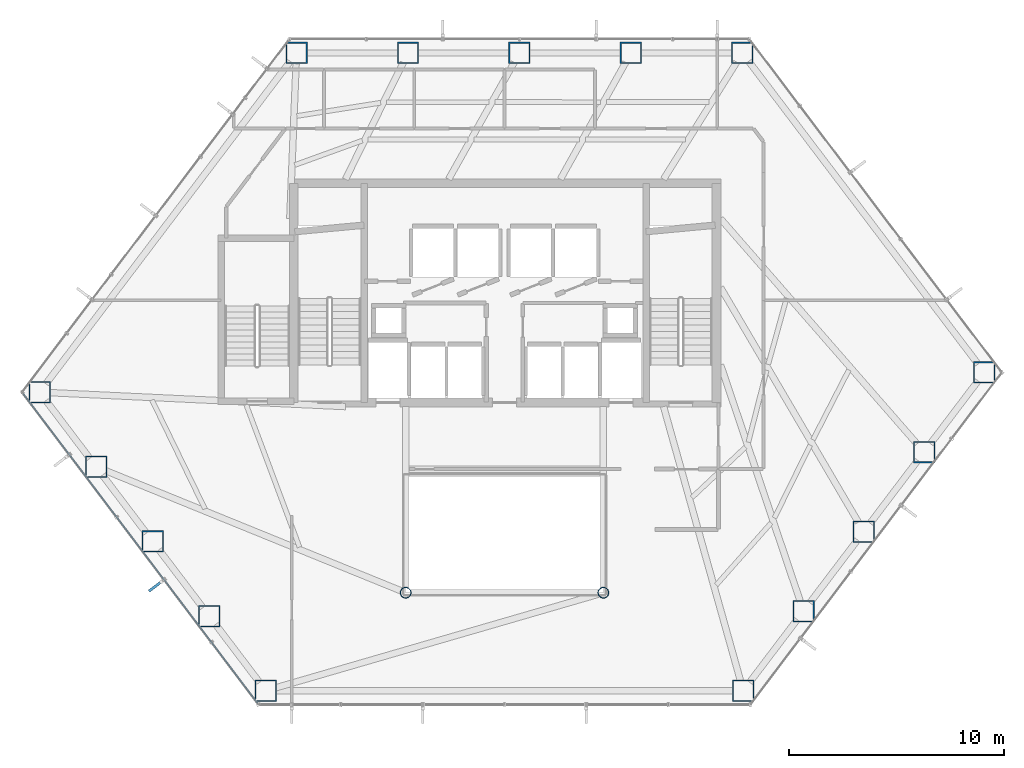
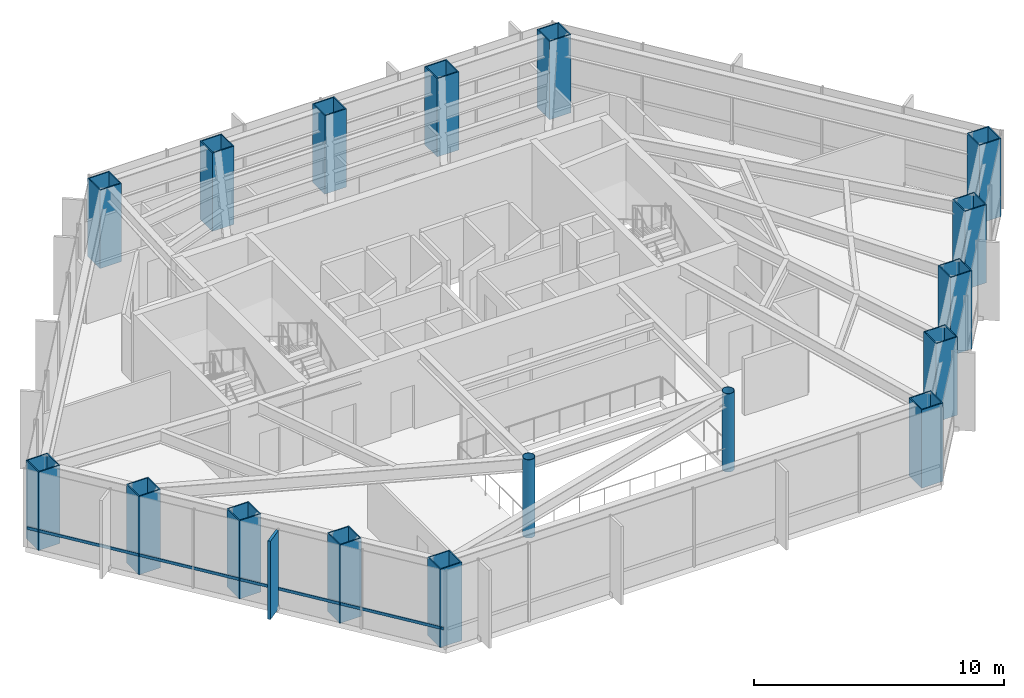
# One storey, part 1 of 26: 17 columns, 2 members, 1 element without a shape of its own.
"""IFC4 building model written with IfcOpenShell, lengths in metres."""

import ifcopenshell
import ifcopenshell.guid

model = None  # the IFC model being written
_history = None  # IfcOwnerHistory: only IFC2X3 demands one
_inside = {}  # id of a spatial element -> (the spatial element, [elements in it])
_under = {}  # id of a project, library or spatial element -> (it, [spatial elements below it])
_declared = {}  # id of a project -> (the project, [libraries it declares])
_typed = {}  # id of a type object -> (the type object, [elements of that type])
_made_of = {}  # id of a material, layer set ... -> (it, [elements and type objects made of it])


def new_model(schema):
    """Start an empty IFC model of exactly this schema.

    Asked for "IFC4X3", IfcOpenShell would pick the latest addendum, in which some entities
    have other attributes; the version numbers below select the first issue.
    IFC2X3 requires an IfcOwnerHistory on every rooted entity: one is made here for all.
    """
    global model, _history
    if schema == "IFC4X3":
        model = ifcopenshell.file(schema_version=(4, 3, 0, 0))
    else:
        model = ifcopenshell.file(schema=schema)
    _inside.clear()
    _under.clear()
    _declared.clear()
    _typed.clear()
    _made_of.clear()
    _history = None
    if model.schema == "IFC2X3":
        org = make("IfcOrganization", Name="unknown")
        user = make(
            "IfcPersonAndOrganization",
            ThePerson=make("IfcPerson", FamilyName="unknown"),
            TheOrganization=org,
        )
        app = make(
            "IfcApplication",
            ApplicationDeveloper=org,
            Version="unknown",
            ApplicationFullName="unknown",
            ApplicationIdentifier="unknown",
        )
        _history = make(
            "IfcOwnerHistory",
            OwningUser=user,
            OwningApplication=app,
            ChangeAction="ADDED",
            CreationDate=0,
        )
    return model


def make(cls, **values):
    """One entity of the class cls with the attributes given. An attribute that is None is left unset."""
    return model.create_entity(
        cls, **{name: value for name, value in values.items() if value is not None}
    )


def rooted(cls, **values):
    """An entity with a GlobalId (a new one), such as an element, a storey or a relation."""
    return make(cls, GlobalId=ifcopenshell.guid.new(), OwnerHistory=_history, **values)


def si_unit(unit_type, name, prefix=None):
    """IfcSIUnit, for example si_unit("LENGTHUNIT", "METRE", prefix="MILLI")."""
    return make("IfcSIUnit", UnitType=unit_type, Prefix=prefix, Name=name)


def assignment(units):
    """IfcUnitAssignment: the units of a project."""
    return None if units is None else make("IfcUnitAssignment", Units=units)


def point(xyz):
    """IfcCartesianPoint."""
    return None if xyz is None else make("IfcCartesianPoint", Coordinates=xyz)


def direction(xyz):
    """IfcDirection."""
    return None if xyz is None else make("IfcDirection", DirectionRatios=xyz)


def frame(location, z_axis=None, x_axis=None):
    """IfcAxis2Placement3D, a coordinate frame: its origin and axes. An axis left out is left unset."""
    return make(
        "IfcAxis2Placement3D",
        Location=point(location),
        Axis=direction(z_axis),
        RefDirection=direction(x_axis),
    )


def frame_2d(location, x_axis=None):
    """IfcAxis2Placement2D, a coordinate frame in the plane: its origin and x axis."""
    return make(
        "IfcAxis2Placement2D", Location=point(location), RefDirection=direction(x_axis)
    )


def origin():
    """The frame at (0, 0, 0) with its axes left unset."""
    return frame((0.0, 0.0, 0.0))


def origin_2d():
    """The frame at (0, 0) in the plane with its x axis left unset."""
    return frame_2d((0.0, 0.0))


def place(relative_to, where):
    """IfcLocalPlacement: puts the frame where relative to a parent placement (None: the world)."""
    return make(
        "IfcLocalPlacement", PlacementRelTo=relative_to, RelativePlacement=where
    )


def context(
    kind, dimensions, precision=None, world=None, true_north=None, identifier=None
):
    """IfcGeometricRepresentationContext, for example the 3D "Model" context."""
    return make(
        "IfcGeometricRepresentationContext",
        ContextIdentifier=identifier,
        ContextType=kind,
        CoordinateSpaceDimension=dimensions,
        Precision=precision,
        WorldCoordinateSystem=world,
        TrueNorth=true_north,
    )


def subcontext(parent, identifier, kind, view, scale=None):
    """IfcGeometricRepresentationSubContext, for example "Body" below "Model"."""
    return make(
        "IfcGeometricRepresentationSubContext",
        ContextIdentifier=identifier,
        ContextType=kind,
        ParentContext=parent,
        TargetScale=scale,
        TargetView=view,
    )


def project(units=None, contexts=None):
    """IfcProject with its units and contexts."""
    return rooted(
        "IfcProject",
        Name="project",
        RepresentationContexts=contexts,
        UnitsInContext=assignment(units),
    )


def spatial(cls, under=None, at=None, **own):
    """A site, building, storey or space (cls), placed at a placement, below another one or the project."""
    s = rooted(cls, ObjectPlacement=at, **own)
    if under is not None:
        _under.setdefault(under.id(), (under, []))[1].append(s)
    return s


def profile(cls, at=None, kind="AREA", **sizes):
    """A parametric profile (cls). Its sizes go by their IFC names, for example OverallWidth=200.0."""
    return make(cls, ProfileType=kind, Position=at, **sizes)


def rectangle(**sizes):
    """IfcRectangleProfileDef."""
    return profile("IfcRectangleProfileDef", **sizes)


def hollow_rectangle(**sizes):
    """IfcRectangleHollowProfileDef."""
    return profile("IfcRectangleHollowProfileDef", **sizes)


def hollow_circle(**sizes):
    """IfcCircleHollowProfileDef."""
    return profile("IfcCircleHollowProfileDef", **sizes)


def extrude(swept, where, along, depth):
    """IfcExtrudedAreaSolid: the profile swept, set in the frame where, extruded along a direction by depth."""
    return make(
        "IfcExtrudedAreaSolid",
        SweptArea=swept,
        Position=where,
        ExtrudedDirection=direction(along),
        Depth=depth,
    )


def shape(context_of_items, identifier, shape_type, items):
    """IfcShapeRepresentation: the items that make up one representation, for example the "Body"."""
    return make(
        "IfcShapeRepresentation",
        ContextOfItems=context_of_items,
        RepresentationIdentifier=identifier,
        RepresentationType=shape_type,
        Items=items,
    )


def material(Name=None, Category=None):
    """IfcMaterial."""
    return make("IfcMaterial", Name=Name, Category=Category)


def layer(
    of_material, thickness, ventilated=None, Name=None, Category=None, Priority=None
):
    """IfcMaterialLayer: one layer of a wall or slab, of a material (None: an air gap)."""
    return make(
        "IfcMaterialLayer",
        Material=of_material,
        LayerThickness=thickness,
        IsVentilated=ventilated,
        Name=Name,
        Category=Category,
        Priority=Priority,
    )


def layer_set(layers, Name=None):
    """IfcMaterialLayerSet."""
    return make("IfcMaterialLayerSet", MaterialLayers=layers, LayerSetName=Name)


def material_profile(
    of_material, cross_section, Name=None, Category=None, Priority=None
):
    """IfcMaterialProfile: a cross section and its material."""
    return make(
        "IfcMaterialProfile",
        Name=Name,
        Material=of_material,
        Profile=cross_section,
        Priority=Priority,
        Category=Category,
    )


def profile_set(profiles, Name=None, composite=None):
    """IfcMaterialProfileSet."""
    return make(
        "IfcMaterialProfileSet",
        Name=Name,
        MaterialProfiles=profiles,
        CompositeProfile=composite,
    )


def made_of(thing, what):
    """Note that an element or type object is made of a material, layer set ...; save() writes the relation."""
    if what is not None:
        _made_of.setdefault(what.id(), (what, []))[1].append(thing)
    return thing


def type_object(cls, material=None, **own):
    """A type object (cls), such as IfcWallType, which elements share."""
    return made_of(rooted(cls, **own), material)


def element(
    cls,
    number,
    at=None,
    inside=None,
    cuts=None,
    type_object=None,
    material=None,
    context=None,
    identifier="Body",
    shape_type=None,
    held_by="IfcProductDefinitionShape",
    body=None,
    shapes=None,
    **own,
):
    """One element of the class cls, such as IfcWall. Its Tag is "e" and its number.

    at: its placement. inside: the storey or other place that contains it. cuts: it is an
    opening in that element (IfcRelVoidsElement). A single representation is given by context,
    identifier, shape_type and body (its items); several are given by shapes. held_by: the class
    of the entity that holds the representations. save() writes the other relations.
    """
    e = rooted(cls, Tag="e%d" % number, ObjectPlacement=at, **own)
    if body is not None:
        shapes = [shape(context, identifier, shape_type, body)]
    if shapes is not None:
        e.Representation = make(held_by, Representations=shapes)
    if inside is not None:
        _inside.setdefault(inside.id(), (inside, []))[1].append(e)
    if cuts is not None:
        rooted(
            "IfcRelVoidsElement", RelatingBuildingElement=cuts, RelatedOpeningElement=e
        )
    if type_object is not None:
        _typed.setdefault(type_object.id(), (type_object, []))[1].append(e)
    return made_of(e, material)


def aggregate(whole, parts):
    """IfcRelAggregates: a whole, such as a stair, and the parts it consists of."""
    return rooted("IfcRelAggregates", RelatingObject=whole, RelatedObjects=parts)


def save(model, path):
    """Write the relations noted so far, then the file.

    IfcRelAggregates (storeys below a building ...), IfcRelContainedInSpatialStructure (elements
    in a storey), IfcRelDefinesByType, IfcRelAssociatesMaterial and IfcRelDeclares: one each for
    every whole, place, type object, material and project.
    """
    for whole, parts in _under.values():
        aggregate(whole, parts)
    for where, things in _inside.values():
        rooted(
            "IfcRelContainedInSpatialStructure",
            RelatedElements=things,
            RelatingStructure=where,
        )
    for kind, things in _typed.values():
        rooted("IfcRelDefinesByType", RelatedObjects=things, RelatingType=kind)
    for what, things in _made_of.values():
        rooted("IfcRelAssociatesMaterial", RelatedObjects=things, RelatingMaterial=what)
    for by, libraries in _declared.values():
        rooted("IfcRelDeclares", RelatingContext=by, RelatedDefinitions=libraries)
    model.write(path)


model = new_model("IFC4")

# Units and contexts
model_context = context("Model", 3, precision=1e-05, world=origin(), true_north=direction((0.0, 1.0)))
body_context = subcontext(model_context, "Body", "Model", "MODEL_VIEW")
ifc_project = project(units=[si_unit("LENGTHUNIT", "METRE"), si_unit("AREAUNIT", "SQUARE_METRE"), si_unit("VOLUMEUNIT", "CUBIC_METRE"), si_unit("PLANEANGLEUNIT", "RADIAN"), si_unit("MASSUNIT", "GRAM", prefix="KILO")], contexts=[model_context])

# Site, building, storey
site_placement = place(None, origin())
site = spatial("IfcSite", under=ifc_project, at=site_placement, CompositionType="ELEMENT")
building_placement = place(site_placement, origin())
building = spatial("IfcBuilding", under=site, at=building_placement, Name="Zarrinselat Tower", CompositionType="ELEMENT")
storey_placement = place(building_placement, frame((0.0, 0.0, 27.5400390625)))
storey = spatial("IfcBuildingStorey", under=building, at=storey_placement, Name="L06", CompositionType="ELEMENT", Elevation=27.5400390625)

# Columns
ifc_material_1 = material(Name="Steel S355J2", Category="steel")
ifc_material_profile_1 = material_profile(ifc_material_1, hollow_circle(Radius=0.25390625, WallThickness=0.02001953125, at=origin_2d()), Name="CHS 508x20")
ifc_profile_set_1 = profile_set([ifc_material_profile_1], Name="Steel S355J2")
column_type_1 = type_object("IfcColumnType", Name="COL-CHS508", PredefinedType="COLUMN", material=ifc_profile_set_1)
for number, where, z_axis, x_axis, name in (
    (1, (33.800048828125, 24.39990234375, 0.0), (0.0, 0.0, 1.0), (1.0, 0.0, 0.0), "L06 Atrium Corner Column 1"),
    (2, (43.0, 24.39990234375, 0.0), (0.0, 0.0, 1.0), (1.0, 0.0, 0.0), "L06 Atrium Corner Column 2"),
):
    element("IfcColumn", number, at=place(storey_placement, frame(where, z_axis=z_axis, x_axis=x_axis)), inside=storey, type_object=column_type_1, Name=name, PredefinedType="COLUMN", context=body_context, shape_type="SweptSolid", body=[
        extrude(hollow_circle(Radius=0.25390625, WallThickness=0.02001953125, at=origin_2d()), origin(), (0.0, 0.0, 1.0), 3.820068359375),
    ])
ifc_material_2 = material(Name="Steel S460M", Category="steel")
ifc_material_profile_2 = material_profile(ifc_material_2, hollow_rectangle(XDim=1.0, YDim=1.0, WallThickness=0.050048828125, at=origin_2d()), Name="SHS 1000x1000x50")
ifc_profile_set_2 = profile_set([ifc_material_profile_2], Name="Steel S460M")
column_type_2 = type_object("IfcColumnType", Name="COL-SHS1000", PredefinedType="COLUMN", material=ifc_profile_set_2)
for number, where, z_axis, x_axis, name in (
    (3, (49.46630859375, 49.510986328125, 0.0), (0.0, 0.0, 1.0), (1.0, 0.0, 0.0), "L06 Framed-Tube Column T01"),
    (4, (44.280517578125, 49.510986328125, 0.0), (0.0, 0.0, 1.0), (1.0, 0.0, 0.0), "L06 Framed-Tube Column T02"),
    (5, (39.094482421875, 49.510986328125, 0.0), (0.0, 0.0, 1.0), (1.0, 0.0, 0.0), "L06 Framed-Tube Column T03"),
    (6, (33.908447265625, 49.510986328125, 0.0), (0.0, 0.0, 1.0), (1.0, 0.0, 0.0), "L06 Framed-Tube Column T04"),
    (7, (28.722412109375, 49.510986328125, 0.0), (0.0, 0.0, 1.0), (1.0, 0.0, 0.0), "L06 Framed-Tube Column T05"),
    (8, (16.768310546875, 33.7314453125, 0.0), (0.0, 0.0, 1.0), (1.0, 0.0, 0.0), "L06 Framed-Tube Column T06"),
    (9, (19.399169921875, 30.2587890625, 0.0), (0.0, 0.0, 1.0), (1.0, 0.0, 0.0), "L06 Framed-Tube Column T07"),
    (10, (22.02978515625, 26.785888671875, 0.0), (0.0, 0.0, 1.0), (1.0, 0.0, 0.0), "L06 Framed-Tube Column T08"),
    (11, (24.660888671875, 23.313232421875, 0.0), (0.0, 0.0, 1.0), (1.0, 0.0, 0.0), "L06 Framed-Tube Column T09"),
    (12, (27.291748046875, 19.84033203125, 0.0), (0.0, 0.0, 1.0), (1.0, 0.0, 0.0), "L06 Framed-Tube Column T10"),
    (13, (49.50830078125, 19.84033203125, 0.0), (0.0, 0.0, 1.0), (1.0, 0.0, 0.0), "L06 Framed-Tube Column T11"),
    (14, (52.312744140625, 23.542236328125, 0.0), (0.0, 0.0, 1.0), (1.0, 0.0, 0.0), "L06 Framed-Tube Column T12"),
    (15, (55.1171875, 27.244384765625, 0.0), (0.0, 0.0, 1.0), (1.0, 0.0, 0.0), "L06 Framed-Tube Column T13"),
    (16, (57.921630859375, 30.9462890625, 0.0), (0.0, 0.0, 1.0), (1.0, 0.0, 0.0), "L06 Framed-Tube Column T14"),
    (17, (60.726318359375, 34.648193359375, 0.0), (0.0, 0.0, 1.0), (1.0, 0.0, 0.0), "L06 Framed-Tube Column T15"),
):
    element("IfcColumn", number, at=place(storey_placement, frame(where, z_axis=z_axis, x_axis=x_axis)), inside=storey, type_object=column_type_2, Name=name, PredefinedType="COLUMN", context=body_context, shape_type="SweptSolid", body=[
        extrude(hollow_rectangle(XDim=1.0, YDim=1.0, WallThickness=0.050048828125, at=origin_2d()), origin(), (0.0, 0.0, 1.0), 3.820068359375),
    ])

# Curtain wall, members
ifc_material_3 = material(Name="Extruded Aluminium Alloy EN AW-6063 T6", Category="aluminium")
ifc_layer = layer(ifc_material_3, 0.18505859375)
ifc_layer_set = layer_set([ifc_layer], Name="Extruded Aluminium Alloy EN AW-6063 T6")
curtain_wall_type = type_object("IfcCurtainWallType", Name="CWS-OFF", PredefinedType="NOTDEFINED", material=ifc_layer_set)
curtain_wall_placement = place(storey_placement, origin())
curtain_wall = element("IfcCurtainWall", 18, at=curtain_wall_placement, inside=storey, type_object=curtain_wall_type, Name="L06 Unitised Curtain Wall CW-L06-E03", PredefinedType="NOTDEFINED")
ifc_material_4 = material(Name="Extruded Aluminium Alloy EN AW-6063 T6", Category="aluminium")
ifc_material_profile_3 = material_profile(ifc_material_4, hollow_rectangle(XDim=0.06005859375, YDim=0.139892578125, WallThickness=0.00390625, at=origin_2d()), Name="RHS 140x60x4")
ifc_profile_set_3 = profile_set([ifc_material_profile_3], Name="Extruded Aluminium Alloy EN AW-6063 T6")
member_type_1 = type_object("IfcMemberType", Name="MEM-CW-TRN", PredefinedType="USERDEFINED", material=ifc_profile_set_3)
member_1_placement = place(storey_placement, frame((16.007080078125, 33.659912109375, 0.949951171875), z_axis=(0.603853264047, -0.797095499611, 0.0), x_axis=(0.797095499611, 0.603853264047, 0.0)))
member_1 = element("IfcMember", 19, at=member_1_placement, type_object=member_type_1, Name="CW-L06-E03 Transom 1", ObjectType="TRANSOM", PredefinedType="USERDEFINED", context=body_context, shape_type="SweptSolid", body=[
    extrude(hollow_rectangle(XDim=0.06005859375, YDim=0.139892578125, WallThickness=0.00390625, at=origin_2d()), origin(), (0.0, 0.0, 1.0), 18.062744140625),
])
ifc_material_5 = material(Name="Honed Cream Travertine Stone", Category="masonry")
ifc_material_profile_4 = material_profile(ifc_material_5, rectangle(XDim=0.1201171875, YDim=0.85009765625, at=origin_2d()), Name="FIN 850x120")
ifc_profile_set_4 = profile_set([ifc_material_profile_4], Name="Honed Cream Travertine Stone")
member_type_2 = type_object("IfcMemberType", Name="MEM-STONE-FIN", PredefinedType="USERDEFINED", material=ifc_profile_set_4)
member_2_placement = place(storey_placement, frame((22.195556640625, 24.72900390625, 0.0), z_axis=(0.0, 0.0, 1.0), x_axis=(-0.603858215687, 0.797091748388, 0.0)))
member_2 = element("IfcMember", 20, at=member_2_placement, type_object=member_type_2, Name="L06 Stone Shading Fin CW-L06-E03-03", ObjectType="FIN", PredefinedType="USERDEFINED", context=body_context, shape_type="SweptSolid", body=[
    extrude(rectangle(XDim=0.1201171875, YDim=0.85009765625, at=origin_2d()), origin(), (0.0, 0.0, 1.0), 3.820068359375),
])
aggregate(curtain_wall, [member_2, member_1])

save(model, "model.ifc")
